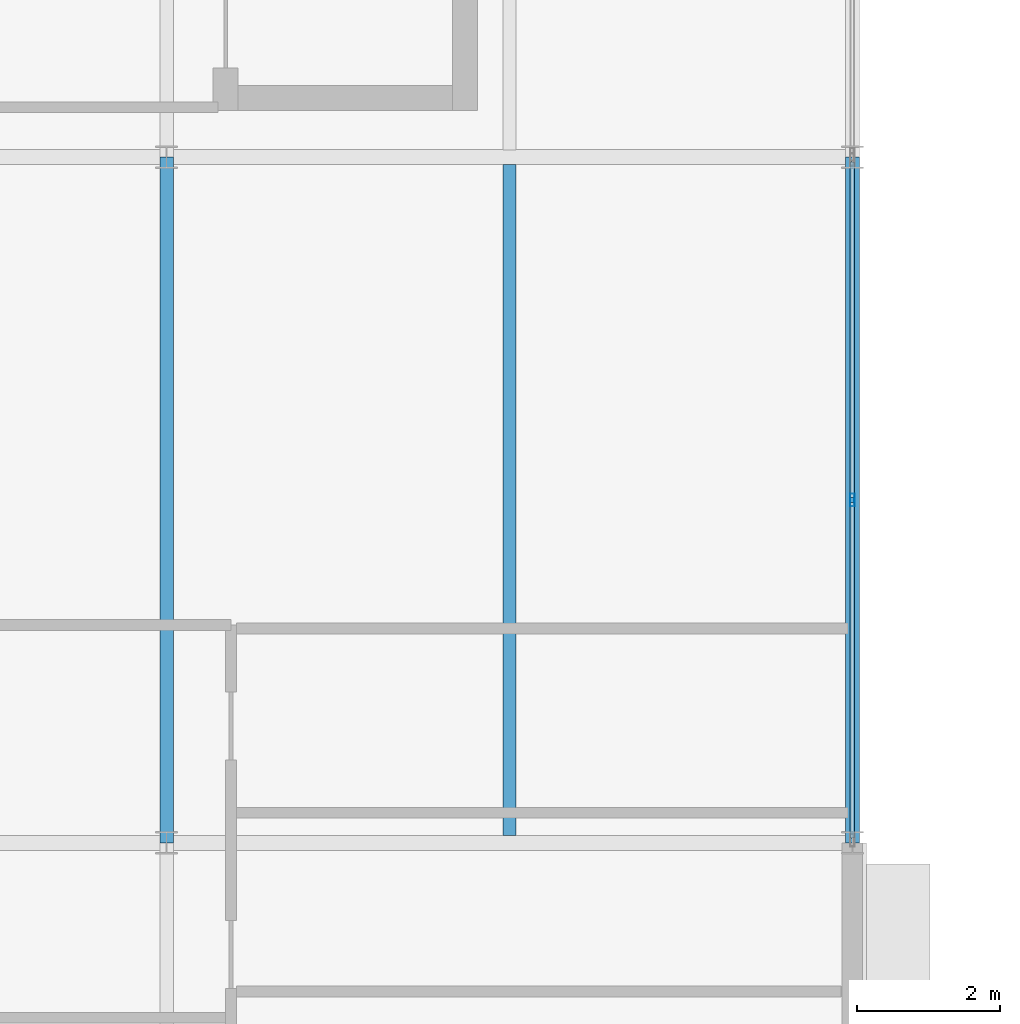
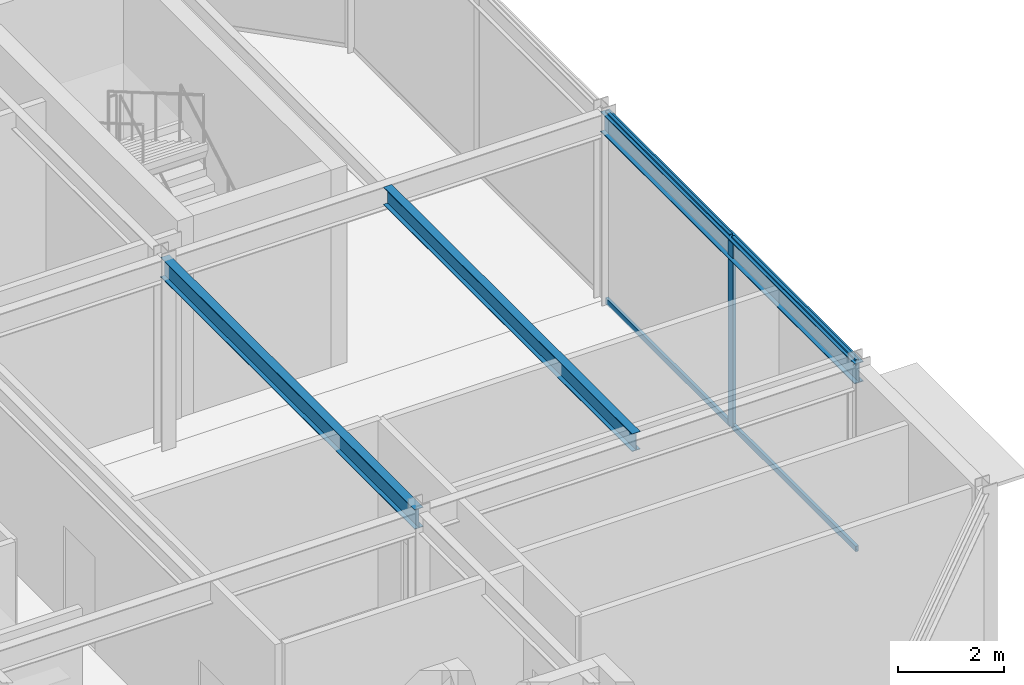
# One storey, part 25 of 89: 5 members, 3 beams, 1 element without a shape of its own.
"""IFC4 building model written with IfcOpenShell, lengths in metres."""

from ifc_helpers import new_model, si_unit, direction, frame, origin, origin_2d, place, context, subcontext, project, spatial, hollow_rectangle, i_section, extrude, material, material_profile, profile_set, type_object, element, aggregate, save


model = new_model("IFC4")

# Units and contexts
model_context = context("Model", 3, precision=1e-05, world=origin(), true_north=direction((0.0, 1.0)))
body_context = subcontext(model_context, "Body", "Model", "MODEL_VIEW")
ifc_project = project(units=[si_unit("LENGTHUNIT", "METRE"), si_unit("AREAUNIT", "SQUARE_METRE"), si_unit("VOLUMEUNIT", "CUBIC_METRE"), si_unit("PLANEANGLEUNIT", "RADIAN"), si_unit("MASSUNIT", "GRAM", prefix="KILO")], contexts=[model_context])

# Site, building, storey
site_placement = place(None, origin())
site = spatial("IfcSite", under=ifc_project, at=site_placement, CompositionType="ELEMENT")
building_placement = place(site_placement, origin())
building = spatial("IfcBuilding", under=site, at=building_placement, Name="Almandine Court Research Institute", CompositionType="ELEMENT")
storey_placement = place(building_placement, frame((0.0, 0.0, 18.89990234375)))
storey = spatial("IfcBuildingStorey", under=building, at=storey_placement, Name="L04", CompositionType="ELEMENT", Elevation=18.89990234375)

# Beams
ifc_material_1 = material(Name="Steel ASTM A992 Grade 50", Category="steel")
ifc_material_profile_1 = material_profile(ifc_material_1, i_section(OverallWidth=0.18994140625, OverallDepth=0.45703125, WebThickness=0.009033203125, FlangeThickness=0.014892578125, at=origin_2d()), Name="W460x74")
ifc_profile_set_1 = profile_set([ifc_material_profile_1], Name="Steel ASTM A992 Grade 50")
beam_type_1 = type_object("IfcBeamType", Name="Beam-B-01", PredefinedType="BEAM", material=ifc_profile_set_1)
beam_1_placement = place(storey_placement, frame((25.199951171875, 93.60009765625, 4.14111328125), z_axis=(0.0, 1.0, 0.0), x_axis=(-1.0, 0.0, 0.0)))
element("IfcBeam", 1, at=beam_1_placement, inside=storey, type_object=beam_type_1, Name="L04 V3 Primary Y Girder", PredefinedType="BEAM", context=body_context, shape_type="SweptSolid", body=[
    extrude(i_section(OverallWidth=0.18994140625, OverallDepth=0.45703125, WebThickness=0.009033203125, FlangeThickness=0.014892578125, at=origin_2d()), origin(), (0.0, 0.0, 1.0), 9.599853515625),
])
ifc_material_profile_2 = material_profile(ifc_material_1, i_section(OverallWidth=0.178955078125, OverallDepth=0.409912109375, WebThickness=0.009033203125, FlangeThickness=0.013916015625, at=origin_2d()), Name="W410x67")
ifc_profile_set_2 = profile_set([ifc_material_profile_2], Name="Steel ASTM A992 Grade 50")
beam_type_2 = type_object("IfcBeamType", Name="Beam-B-02", PredefinedType="JOIST", material=ifc_profile_set_2)
beam_2_placement = place(storey_placement, frame((30.0, 93.702880859375, 4.1650390625), z_axis=(0.0, 1.0, 0.0), x_axis=(-1.0, 0.0, 0.0)))
element("IfcBeam", 2, at=beam_2_placement, inside=storey, type_object=beam_type_2, Name="L04 V3 Composite Secondary Beam", PredefinedType="JOIST", context=body_context, shape_type="SweptSolid", body=[
    extrude(i_section(OverallWidth=0.178955078125, OverallDepth=0.409912109375, WebThickness=0.009033203125, FlangeThickness=0.013916015625, at=origin_2d()), origin(), (0.0, 0.0, 1.0), 9.39404296875),
])
ifc_material_profile_3 = material_profile(ifc_material_1, i_section(OverallWidth=0.193115234375, OverallDepth=0.466064453125, WebThickness=0.010986328125, FlangeThickness=0.01904296875, at=origin_2d()), Name="W460x97")
ifc_profile_set_3 = profile_set([ifc_material_profile_3], Name="Steel ASTM A992 Grade 50")
beam_type_3 = type_object("IfcBeamType", Name="Beam-G-06-E", PredefinedType="SPANDREL", material=ifc_profile_set_3)
beam_3_placement = place(storey_placement, frame((34.800048828125, 93.60009765625, 4.13720703125), z_axis=(0.0, 1.0, 0.0), x_axis=(-1.0, 0.0, 0.0)))
element("IfcBeam", 3, at=beam_3_placement, inside=storey, type_object=beam_type_3, Name="L04 V3 Primary Y Girder", PredefinedType="SPANDREL", context=body_context, shape_type="SweptSolid", body=[
    extrude(i_section(OverallWidth=0.193115234375, OverallDepth=0.466064453125, WebThickness=0.010986328125, FlangeThickness=0.01904296875, at=origin_2d()), origin(), (0.0, 0.0, 1.0), 9.599853515625),
])

# Curtain wall, members
ifc_material_2 = material(Name="Unitised Curtain Wall Framing and Solar Glazing", Category="glass")
curtain_wall_type = type_object("IfcCurtainWallType", Name="CW-CWJ-09", PredefinedType="USERDEFINED", material=ifc_material_2)
curtain_wall_placement = place(storey_placement, origin())
curtain_wall = element("IfcCurtainWall", 4, at=curtain_wall_placement, inside=storey, type_object=curtain_wall_type, Name="L04 Cleanroom East Courtyard Jali Screen 2", ObjectType="SOLAR JALI SCREEN", PredefinedType="USERDEFINED")
ifc_material_3 = material(Name="Anodised Aluminium AW-6063-T6", Category="aluminium")
ifc_material_profile_4 = material_profile(ifc_material_3, hollow_rectangle(XDim=0.06494140625, YDim=0.179931640625, WallThickness=0.00390625, at=origin_2d()), Name="ALU RHS 65x180x4")
ifc_profile_set_4 = profile_set([ifc_material_profile_4], Name="Anodised Aluminium AW-6063-T6")
member_type_1 = type_object("IfcMemberType", Name="CWMul-65x180", PredefinedType="MULLION", material=ifc_profile_set_4)
member_1_placement = place(storey_placement, frame((34.800048828125, 98.39990234375, 0.0), z_axis=(0.0, 0.0, 1.0), x_axis=(1.0, 0.0, 0.0)))
member_1 = element("IfcMember", 5, at=member_1_placement, type_object=member_type_1, Name="CWJ-09 mullion 2", PredefinedType="MULLION", context=body_context, shape_type="SweptSolid", body=[
    extrude(hollow_rectangle(XDim=0.06494140625, YDim=0.179931640625, WallThickness=0.00390625, at=origin_2d()), origin(), (0.0, 0.0, 1.0), 4.3701171875),
])
ifc_material_profile_5 = material_profile(ifc_material_3, hollow_rectangle(XDim=0.06494140625, YDim=0.1298828125, WallThickness=0.00390625, at=origin_2d()), Name="ALU RHS 65x130x4")
ifc_profile_set_5 = profile_set([ifc_material_profile_5], Name="Anodised Aluminium AW-6063-T6")
member_type_2 = type_object("IfcMemberType", Name="CWTrn-65x130", PredefinedType="NOTDEFINED", material=ifc_profile_set_5)
member_2_placement = place(storey_placement, frame((34.800048828125, 103.131103515625, 0.03271484375), z_axis=(0.0, -1.0, 0.0), x_axis=(1.0, 0.0, 0.0)))
member_2 = element("IfcMember", 6, at=member_2_placement, type_object=member_type_2, Name="CWJ-09 transom 1.1", ObjectType="TRANSOM", PredefinedType="USERDEFINED", context=body_context, shape_type="SweptSolid", body=[
    extrude(hollow_rectangle(XDim=0.06494140625, YDim=0.1298828125, WallThickness=0.00390625, at=origin_2d()), origin(), (0.0, 0.0, 1.0), 4.698486328125),
])
member_3_placement = place(storey_placement, frame((34.800048828125, 103.131103515625, 4.337646484375), z_axis=(0.0, -1.0, 0.0), x_axis=(1.0, 0.0, 0.0)))
member_3 = element("IfcMember", 7, at=member_3_placement, type_object=member_type_2, Name="CWJ-09 transom 1.2", ObjectType="TRANSOM", PredefinedType="USERDEFINED", context=body_context, shape_type="SweptSolid", body=[
    extrude(hollow_rectangle(XDim=0.06494140625, YDim=0.1298828125, WallThickness=0.00390625, at=origin_2d()), origin(), (0.0, 0.0, 1.0), 4.698486328125),
])
member_4_placement = place(storey_placement, frame((34.800048828125, 98.367431640625, 0.03271484375), z_axis=(0.0, -1.0, 0.0), x_axis=(1.0, 0.0, 0.0)))
member_4 = element("IfcMember", 8, at=member_4_placement, type_object=member_type_2, Name="CWJ-09 transom 2.1", ObjectType="TRANSOM", PredefinedType="USERDEFINED", context=body_context, shape_type="SweptSolid", body=[
    extrude(hollow_rectangle(XDim=0.06494140625, YDim=0.1298828125, WallThickness=0.00390625, at=origin_2d()), origin(), (0.0, 0.0, 1.0), 4.698486328125),
])
member_5_placement = place(storey_placement, frame((34.800048828125, 98.367431640625, 4.337646484375), z_axis=(0.0, -1.0, 0.0), x_axis=(1.0, 0.0, 0.0)))
member_5 = element("IfcMember", 9, at=member_5_placement, type_object=member_type_2, Name="CWJ-09 transom 2.2", ObjectType="TRANSOM", PredefinedType="USERDEFINED", context=body_context, shape_type="SweptSolid", body=[
    extrude(hollow_rectangle(XDim=0.06494140625, YDim=0.1298828125, WallThickness=0.00390625, at=origin_2d()), origin(), (0.0, 0.0, 1.0), 4.698486328125),
])
aggregate(curtain_wall, [member_1, member_2, member_3, member_4, member_5])

save(model, "model.ifc")
